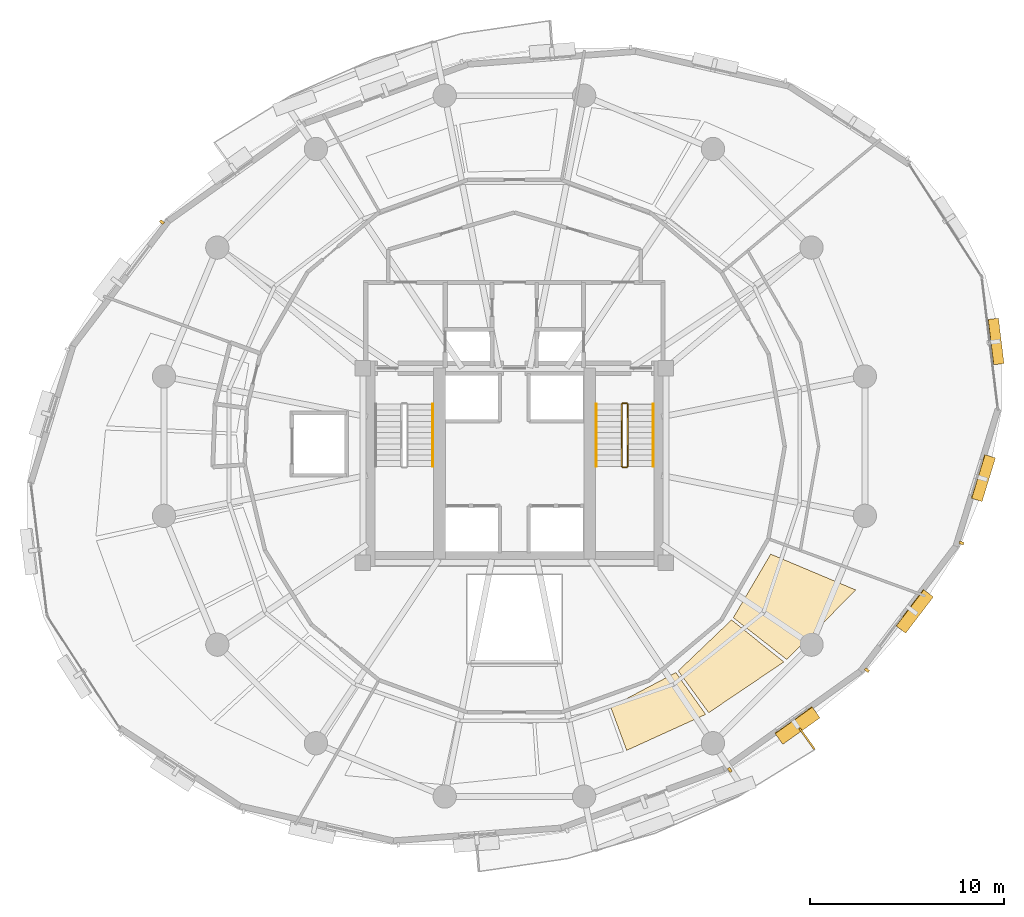
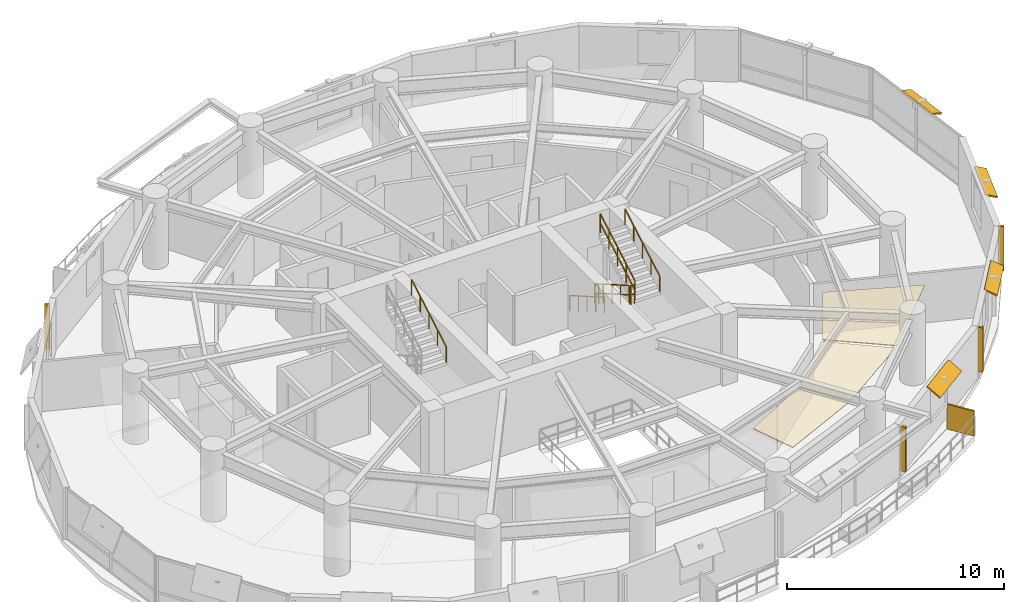
# One storey, part 14 of 15: 9 shading devices, 7 railings, 3 coverings.
"""IFC4 building model written with IfcOpenShell, lengths in metres."""

from ifc_helpers import new_model, si_unit, direction, frame, origin, origin_2d, place, context, subcontext, project, spatial, polyline, rectangle, outline, extrude, material, layer, layer_set, type_object, element, save


model = new_model("IFC4")

# Units and contexts
model_context = context("Model", 3, precision=1e-05, world=origin(), true_north=direction((0.0, 1.0)))
body_context = subcontext(model_context, "Body", "Model", "MODEL_VIEW")
ifc_project = project(units=[si_unit("LENGTHUNIT", "METRE"), si_unit("AREAUNIT", "SQUARE_METRE"), si_unit("VOLUMEUNIT", "CUBIC_METRE"), si_unit("PLANEANGLEUNIT", "RADIAN"), si_unit("MASSUNIT", "GRAM", prefix="KILO"), si_unit("THERMODYNAMICTEMPERATUREUNIT", "KELVIN"), si_unit("POWERUNIT", "WATT")], contexts=[model_context])

# Site, building, storey
site_placement = place(None, origin())
site = spatial("IfcSite", under=ifc_project, at=site_placement, CompositionType="ELEMENT")
building_placement = place(site_placement, origin())
building = spatial("IfcBuilding", under=site, at=building_placement, Name="Ocrelia Relay Tower", CompositionType="ELEMENT")
storey_placement = place(building_placement, frame((0.0, 0.0, 117.800048828125)))
storey = spatial("IfcBuildingStorey", under=building, at=storey_placement, Name="L27", CompositionType="ELEMENT", Elevation=117.800048828125)

# Coverings
ifc_material_1 = material(Name="Cleanroom metal-pan acoustic ceiling", Category="aluminium")
ifc_layer_1 = layer(ifc_material_1, 0.0400390625, Name="Cleanroom metal-pan acoustic ceiling")
ifc_layer_set_1 = layer_set([ifc_layer_1], Name="Cleanroom metal-pan acoustic ceiling")
covering_type = type_object("IfcCoveringType", Name="COV-CEIL-CLEAN", PredefinedType="CEILING", material=ifc_layer_set_1)
covering_1_placement = place(storey_placement, frame((0.0, 0.0, 2.719970703125)))
element("IfcCovering", 1, at=covering_1_placement, inside=storey, type_object=covering_type, Name="L27 Optical Switching Hall A Suspended Ceiling 4", PredefinedType="CEILING", context=body_context, shape_type="SweptSolid", body=[
    extrude(outline(polyline([(38.956298828125, 12.565185546875), (39.7802734375, 10.33203125), (43.848388671875, 12.184814453125), (42.312255859375, 14.33935546875), (38.956298828125, 12.565185546875)])), origin(), (0.0, 0.0, 1.0), 0.0400390625),
])
covering_2_placement = place(storey_placement, frame((0.0, 0.0, 2.719970703125)))
element("IfcCovering", 2, at=covering_2_placement, inside=storey, type_object=covering_type, Name="L27 Optical Switching Hall A Suspended Ceiling 5", PredefinedType="CEILING", context=body_context, shape_type="SweptSolid", body=[
    extrude(outline(polyline([(42.433837890625, 14.427001953125), (44.0048828125, 12.271728515625), (47.8779296875, 14.88818359375), (45.178466796875, 17.0498046875), (42.433837890625, 14.427001953125)])), origin(), (0.0, 0.0, 1.0), 0.0400390625),
])
covering_3_placement = place(storey_placement, frame((0.0, 0.0, 2.719970703125)))
element("IfcCovering", 3, at=covering_3_placement, inside=storey, type_object=covering_type, Name="L27 Optical Switching Hall A Suspended Ceiling 6", PredefinedType="CEILING", context=body_context, shape_type="SweptSolid", body=[
    extrude(outline(polyline([(45.271484375, 17.167236328125), (48.02587890625, 15.009033203125), (51.580322265625, 18.591796875), (47.1962890625, 20.439208984375), (45.271484375, 17.167236328125)])), origin(), (0.0, 0.0, 1.0), 0.0400390625),
])

# Railings
ifc_material_2 = material(Name="Steel S355 balustrade", Category="steel")
railing_type_1 = type_object("IfcRailingType", Name="RL-STAIR-GUARD", PredefinedType="GUARDRAIL", material=ifc_material_2)
railing_1_placement = place(storey_placement, frame((39.530029296875, 28.14990234375, 0.16650390625)))
element("IfcRailing", 4, at=railing_1_placement, inside=storey, type_object=railing_type_1, Name="L27 ST2 stair guard 1", PredefinedType="GUARDRAIL", context=body_context, shape_type="SweptSolid", body=[
    extrude(rectangle(XDim=0.048095703125, YDim=0.048095703125, at=origin_2d()), frame((0.0, 0.0, 1.076171875), z_axis=(0.0, -0.86699087805, 0.498324008431), x_axis=(1.0, 0.0, 0.0)), (0.0, 0.0, 1.0), 3.679443359375),
    extrude(rectangle(XDim=0.048095703125, YDim=0.048095703125, at=origin_2d()), frame((0.0, 0.0, 0.550048828125), z_axis=(0.0, -0.86699087805, 0.498324008431), x_axis=(1.0, 0.0, 0.0)), (0.0, 0.0, 1.0), 3.679443359375),
    extrude(rectangle(XDim=0.0419921875, YDim=0.0419921875, at=origin_2d()), origin(), (0.0, 0.0, 1.0), 1.052001953125),
    extrude(rectangle(XDim=0.0419921875, YDim=0.0419921875, at=origin_2d()), frame((0.0, -0.79736328125, 0.45849609375)), (0.0, 0.0, 1.0), 1.052001953125),
    extrude(rectangle(XDim=0.0419921875, YDim=0.0419921875, at=origin_2d()), frame((0.0, -1.594970703125, 0.916748046875)), (0.0, 0.0, 1.0), 1.052001953125),
    extrude(rectangle(XDim=0.0419921875, YDim=0.0419921875, at=origin_2d()), frame((0.0, -2.392578125, 1.375)), (0.0, 0.0, 1.0), 1.052001953125),
    extrude(rectangle(XDim=0.0419921875, YDim=0.0419921875, at=origin_2d()), frame((0.0, -3.18994140625, 1.83349609375)), (0.0, 0.0, 1.0), 1.052001953125),
])
railing_2_placement = place(storey_placement, frame((39.580078125, 24.909912109375, 2.0)))
element("IfcRailing", 5, at=railing_2_placement, inside=storey, type_object=railing_type_1, Name="L27 ST2 stair guard 2", PredefinedType="GUARDRAIL", context=body_context, shape_type="SweptSolid", body=[
    extrude(rectangle(XDim=0.048095703125, YDim=0.048095703125, at=origin_2d()), frame((0.0, 0.0, 1.076171875), z_axis=(1.0, 0.0, 0.0), x_axis=(0.0, 1.0, 0.0)), (0.0, 0.0, 1.0), 0.199951171875),
    extrude(rectangle(XDim=0.048095703125, YDim=0.048095703125, at=origin_2d()), frame((0.0, 0.0, 0.550048828125), z_axis=(1.0, 0.0, 0.0), x_axis=(0.0, 1.0, 0.0)), (0.0, 0.0, 1.0), 0.199951171875),
    extrude(rectangle(XDim=0.0419921875, YDim=0.0419921875, at=origin_2d()), origin(), (0.0, 0.0, 1.0), 1.052001953125),
    extrude(rectangle(XDim=0.0419921875, YDim=0.0419921875, at=origin_2d()), frame((0.199951171875, 0.0, 0.0)), (0.0, 0.0, 1.0), 1.052001953125),
])
railing_3_placement = place(storey_placement, frame((39.830078125, 24.9599609375, 2.16650390625)))
element("IfcRailing", 6, at=railing_3_placement, inside=storey, type_object=railing_type_1, Name="L27 ST2 stair guard 3", PredefinedType="GUARDRAIL", context=body_context, shape_type="SweptSolid", body=[
    extrude(rectangle(XDim=0.048095703125, YDim=0.048095703125, at=origin_2d()), frame((0.0, 0.0, 1.076171875), z_axis=(0.0, 0.86699087805, 0.498324008431), x_axis=(-1.0, 0.0, 0.0)), (0.0, 0.0, 1.0), 3.679443359375),
    extrude(rectangle(XDim=0.048095703125, YDim=0.048095703125, at=origin_2d()), frame((0.0, 0.0, 0.550048828125), z_axis=(0.0, 0.86699087805, 0.498324008431), x_axis=(-1.0, 0.0, 0.0)), (0.0, 0.0, 1.0), 3.679443359375),
    extrude(rectangle(XDim=0.0419921875, YDim=0.0419921875, at=origin_2d()), origin(), (0.0, 0.0, 1.0), 1.052001953125),
    extrude(rectangle(XDim=0.0419921875, YDim=0.0419921875, at=origin_2d()), frame((0.0, 0.79736328125, 0.45849609375)), (0.0, 0.0, 1.0), 1.052001953125),
    extrude(rectangle(XDim=0.0419921875, YDim=0.0419921875, at=origin_2d()), frame((0.0, 1.594970703125, 0.916748046875)), (0.0, 0.0, 1.0), 1.052001953125),
    extrude(rectangle(XDim=0.0419921875, YDim=0.0419921875, at=origin_2d()), frame((0.0, 2.392578125, 1.375)), (0.0, 0.0, 1.0), 1.052001953125),
    extrude(rectangle(XDim=0.0419921875, YDim=0.0419921875, at=origin_2d()), frame((0.0, 3.18994140625, 1.83349609375)), (0.0, 0.0, 1.0), 1.052001953125),
])
railing_4_placement = place(storey_placement, frame((39.580078125, 28.199951171875, 0.0)))
element("IfcRailing", 7, at=railing_4_placement, inside=storey, type_object=railing_type_1, Name="L27 ST2 stair guard 4", PredefinedType="GUARDRAIL", context=body_context, shape_type="SweptSolid", body=[
    extrude(rectangle(XDim=0.048095703125, YDim=0.048095703125, at=origin_2d()), frame((0.0, 0.0, 1.076171875), z_axis=(1.0, 0.0, 0.0), x_axis=(0.0, 1.0, 0.0)), (0.0, 0.0, 1.0), 0.199951171875),
    extrude(rectangle(XDim=0.048095703125, YDim=0.048095703125, at=origin_2d()), frame((0.0, 0.0, 0.550048828125), z_axis=(1.0, 0.0, 0.0), x_axis=(0.0, 1.0, 0.0)), (0.0, 0.0, 1.0), 0.199951171875),
    extrude(rectangle(XDim=0.0419921875, YDim=0.0419921875, at=origin_2d()), origin(), (0.0, 0.0, 1.0), 1.052001953125),
    extrude(rectangle(XDim=0.0419921875, YDim=0.0419921875, at=origin_2d()), frame((0.199951171875, 0.0, 0.0)), (0.0, 0.0, 1.0), 1.052001953125),
])
ifc_material_3 = material(Name="Steel S355 tubular handrail", Category="steel")
railing_type_2 = type_object("IfcRailingType", Name="RL-STAIR-HAND", PredefinedType="HANDRAIL", material=ifc_material_3)
railing_5_placement = place(storey_placement, frame((29.800048828125, 24.9599609375, 2.16650390625)))
element("IfcRailing", 8, at=railing_5_placement, inside=storey, type_object=railing_type_2, Name="L27 ST1 stair handrail 2", PredefinedType="HANDRAIL", context=body_context, shape_type="SweptSolid", body=[
    extrude(rectangle(XDim=0.048095703125, YDim=0.048095703125, at=origin_2d()), frame((0.0, 0.0, 0.8759765625), z_axis=(0.0, 0.86699087805, 0.498324008431), x_axis=(-1.0, 0.0, 0.0)), (0.0, 0.0, 1.0), 3.679443359375),
    extrude(rectangle(XDim=0.0419921875, YDim=0.0419921875, at=origin_2d()), origin(), (0.0, 0.0, 1.0), 0.851806640625),
    extrude(rectangle(XDim=0.0419921875, YDim=0.0419921875, at=origin_2d()), frame((0.0, 0.79736328125, 0.45849609375)), (0.0, 0.0, 1.0), 0.851806640625),
    extrude(rectangle(XDim=0.0419921875, YDim=0.0419921875, at=origin_2d()), frame((0.0, 1.594970703125, 0.916748046875)), (0.0, 0.0, 1.0), 0.851806640625),
    extrude(rectangle(XDim=0.0419921875, YDim=0.0419921875, at=origin_2d()), frame((0.0, 2.392578125, 1.375)), (0.0, 0.0, 1.0), 0.851806640625),
    extrude(rectangle(XDim=0.0419921875, YDim=0.0419921875, at=origin_2d()), frame((0.0, 3.18994140625, 1.83349609375)), (0.0, 0.0, 1.0), 0.851806640625),
])
railing_6_placement = place(storey_placement, frame((38.2099609375, 28.14990234375, 0.16650390625)))
element("IfcRailing", 9, at=railing_6_placement, inside=storey, type_object=railing_type_2, Name="L27 ST2 stair handrail 1", PredefinedType="HANDRAIL", context=body_context, shape_type="SweptSolid", body=[
    extrude(rectangle(XDim=0.048095703125, YDim=0.048095703125, at=origin_2d()), frame((0.0, 0.0, 0.8759765625), z_axis=(0.0, -0.86699087805, 0.498324008431), x_axis=(1.0, 0.0, 0.0)), (0.0, 0.0, 1.0), 3.679443359375),
    extrude(rectangle(XDim=0.0419921875, YDim=0.0419921875, at=origin_2d()), origin(), (0.0, 0.0, 1.0), 0.851806640625),
    extrude(rectangle(XDim=0.0419921875, YDim=0.0419921875, at=origin_2d()), frame((0.0, -0.79736328125, 0.45849609375)), (0.0, 0.0, 1.0), 0.851806640625),
    extrude(rectangle(XDim=0.0419921875, YDim=0.0419921875, at=origin_2d()), frame((0.0, -1.594970703125, 0.916748046875)), (0.0, 0.0, 1.0), 0.851806640625),
    extrude(rectangle(XDim=0.0419921875, YDim=0.0419921875, at=origin_2d()), frame((0.0, -2.392578125, 1.375)), (0.0, 0.0, 1.0), 0.851806640625),
    extrude(rectangle(XDim=0.0419921875, YDim=0.0419921875, at=origin_2d()), frame((0.0, -3.18994140625, 1.83349609375)), (0.0, 0.0, 1.0), 0.851806640625),
])
railing_7_placement = place(storey_placement, frame((41.14990234375, 24.9599609375, 2.16650390625)))
element("IfcRailing", 10, at=railing_7_placement, inside=storey, type_object=railing_type_2, Name="L27 ST2 stair handrail 2", PredefinedType="HANDRAIL", context=body_context, shape_type="SweptSolid", body=[
    extrude(rectangle(XDim=0.048095703125, YDim=0.048095703125, at=origin_2d()), frame((0.0, 0.0, 0.8759765625), z_axis=(0.0, 0.86699087805, 0.498324008431), x_axis=(-1.0, 0.0, 0.0)), (0.0, 0.0, 1.0), 3.679443359375),
    extrude(rectangle(XDim=0.0419921875, YDim=0.0419921875, at=origin_2d()), origin(), (0.0, 0.0, 1.0), 0.851806640625),
    extrude(rectangle(XDim=0.0419921875, YDim=0.0419921875, at=origin_2d()), frame((0.0, 0.79736328125, 0.45849609375)), (0.0, 0.0, 1.0), 0.851806640625),
    extrude(rectangle(XDim=0.0419921875, YDim=0.0419921875, at=origin_2d()), frame((0.0, 1.594970703125, 0.916748046875)), (0.0, 0.0, 1.0), 0.851806640625),
    extrude(rectangle(XDim=0.0419921875, YDim=0.0419921875, at=origin_2d()), frame((0.0, 2.392578125, 1.375)), (0.0, 0.0, 1.0), 0.851806640625),
    extrude(rectangle(XDim=0.0419921875, YDim=0.0419921875, at=origin_2d()), frame((0.0, 3.18994140625, 1.83349609375)), (0.0, 0.0, 1.0), 0.851806640625),
])

# Shading devices
ifc_material_4 = material(Name="Perforated oxide terracotta solar screen", Category="masonry")
ifc_layer_2 = layer(ifc_material_4, 0.090087890625, Name="Perforated oxide terracotta solar screen")
ifc_layer_set_2 = layer_set([ifc_layer_2], Name="Perforated oxide terracotta solar screen")
shading_device_type_1 = type_object("IfcShadingDeviceType", Name="SH-BALC-SCREEN", PredefinedType="USERDEFINED", material=ifc_layer_set_2)
shading_device_1_placement = place(storey_placement, frame((49.066162109375, 10.930419921875, 0.0), z_axis=(0.0, 0.0, 1.0), x_axis=(0.582228894478, -0.813024916245, 0.0)))
element("IfcShadingDevice", 11, at=shading_device_1_placement, inside=storey, type_object=shading_device_type_1, Name="L27 Balcony Perforated Terracotta Screen B2-2", ObjectType="SCREEN", PredefinedType="USERDEFINED", context=body_context, shape_type="SweptSolid", body=[
    extrude(rectangle(XDim=1.340087890625, YDim=0.090087890625, at=origin_2d()), origin(), (0.0, 0.0, 1.0), 1.39990234375),
])
ifc_material_5 = material(Name="Extruded oxide terracotta vertical baguette", Category="masonry")
shading_device_type_2 = type_object("IfcShadingDeviceType", Name="SH-TERR-BAGUETTE", PredefinedType="USERDEFINED", material=ifc_material_5)
for number, where, z_axis, x_axis, name in (
    (12, (15.84814453125, 37.53662109375, 0.199951171875), (0.0, 0.0, 1.0), (-0.606437659627, -0.795131036362, 0.0), "L27 Oxide Terracotta Vertical Baguette 07"),
    (13, (45.093505859375, 9.324951171875, 0.199951171875), (0.0, 0.0, 1.0), (0.813895483683, 0.581011309391, 0.0), "L27 Oxide Terracotta Vertical Baguette 15"),
    (14, (52.15185546875, 14.46337890625, 0.199951171875), (0.0, 0.0, 1.0), (0.606437659627, 0.795131036362, 0.0), "L27 Oxide Terracotta Vertical Baguette 16"),
    (15, (57.02294921875, 21.010498046875, 0.199951171875), (0.0, 0.0, 1.0), (0.293529974291, 0.955949870125, 0.0), "L27 Oxide Terracotta Vertical Baguette 17"),
):
    element("IfcShadingDevice", number, at=place(storey_placement, frame(where, z_axis=z_axis, x_axis=x_axis)), inside=storey, type_object=shading_device_type_2, Name=name, ObjectType="BAGUETTE", PredefinedType="USERDEFINED", context=body_context, shape_type="SweptSolid", body=[
        extrude(rectangle(XDim=0.139892578125, YDim=0.239990234375, at=origin_2d()), origin(), (0.0, 0.0, 1.0), 2.5),
    ])
ifc_material_6 = material(Name="Extruded oxide terracotta fin", Category="masonry")
ifc_layer_3 = layer(ifc_material_6, 0.080078125, Name="Extruded oxide terracotta fin")
ifc_layer_set_3 = layer_set([ifc_layer_3], Name="Extruded oxide terracotta fin")
shading_device_type_3 = type_object("IfcShadingDeviceType", Name="SH-VISOR-FIN-MED", PredefinedType="USERDEFINED", material=ifc_layer_set_3)
shading_device_2_placement = place(storey_placement, frame((48.556396484375, 11.638427734375, 2.70654296875), z_axis=(0.321864521774, -0.450876043884, 0.83253469758), x_axis=(0.813895483683, 0.581011309391, 0.0)))
element("IfcShadingDevice", 16, at=shading_device_2_placement, inside=storey, type_object=shading_device_type_3, Name="L27 Canted Terracotta Sun-Visor Fin 15", ObjectType="FIN", PredefinedType="USERDEFINED", context=body_context, shape_type="SweptSolid", body=[
    extrude(rectangle(XDim=2.35009765625, YDim=0.81103515625, at=origin_2d()), origin(), (0.0, 0.0, 1.0), 0.080078125),
])
ifc_layer_4 = layer(ifc_material_6, 0.080078125, Name="Extruded oxide terracotta fin")
ifc_layer_set_4 = layer_set([ifc_layer_4], Name="Extruded oxide terracotta fin")
shading_device_type_4 = type_object("IfcShadingDeviceType", Name="SH-VISOR-FIN-SHAL", PredefinedType="USERDEFINED", material=ifc_layer_set_4)
shading_device_3_placement = place(storey_placement, frame((54.587646484375, 17.507080078125, 2.703857421875), z_axis=(0.345565898291, -0.263559294032, 0.900622400603), x_axis=(0.606437659627, 0.795131036362, 0.0)))
element("IfcShadingDevice", 17, at=shading_device_3_placement, inside=storey, type_object=shading_device_type_4, Name="L27 Canted Terracotta Sun-Visor Fin 16", ObjectType="FIN", PredefinedType="USERDEFINED", context=body_context, shape_type="SweptSolid", body=[
    extrude(rectangle(XDim=2.35009765625, YDim=0.678955078125, at=origin_2d()), origin(), (0.0, 0.0, 1.0), 0.080078125),
])
shading_device_4_placement = place(storey_placement, frame((58.129638671875, 24.359375, 2.70263671875), z_axis=(0.342426026636, -0.105143905487, 0.933642959284), x_axis=(0.293529974291, 0.955949870125, 0.0)))
element("IfcShadingDevice", 18, at=shading_device_4_placement, inside=storey, type_object=shading_device_type_4, Name="L27 Canted Terracotta Sun-Visor Fin 17", ObjectType="FIN", PredefinedType="USERDEFINED", context=body_context, shape_type="SweptSolid", body=[
    extrude(rectangle(XDim=2.35009765625, YDim=0.60009765625, at=origin_2d()), origin(), (0.0, 0.0, 1.0), 0.080078125),
])
shading_device_5_placement = place(storey_placement, frame((58.77880859375, 31.386474609375, 2.7021484375), z_axis=(0.316430998497, 0.038742302358, 0.947824064475), x_axis=(-0.121527745226, 0.992588034957, 0.0)))
element("IfcShadingDevice", 19, at=shading_device_5_placement, inside=storey, type_object=shading_device_type_4, Name="L27 Canted Terracotta Sun-Visor Fin 18", ObjectType="FIN", PredefinedType="USERDEFINED", context=body_context, shape_type="SweptSolid", body=[
    extrude(rectangle(XDim=2.35009765625, YDim=0.56005859375, at=origin_2d()), origin(), (0.0, 0.0, 1.0), 0.080078125),
])

save(model, "model.ifc")
